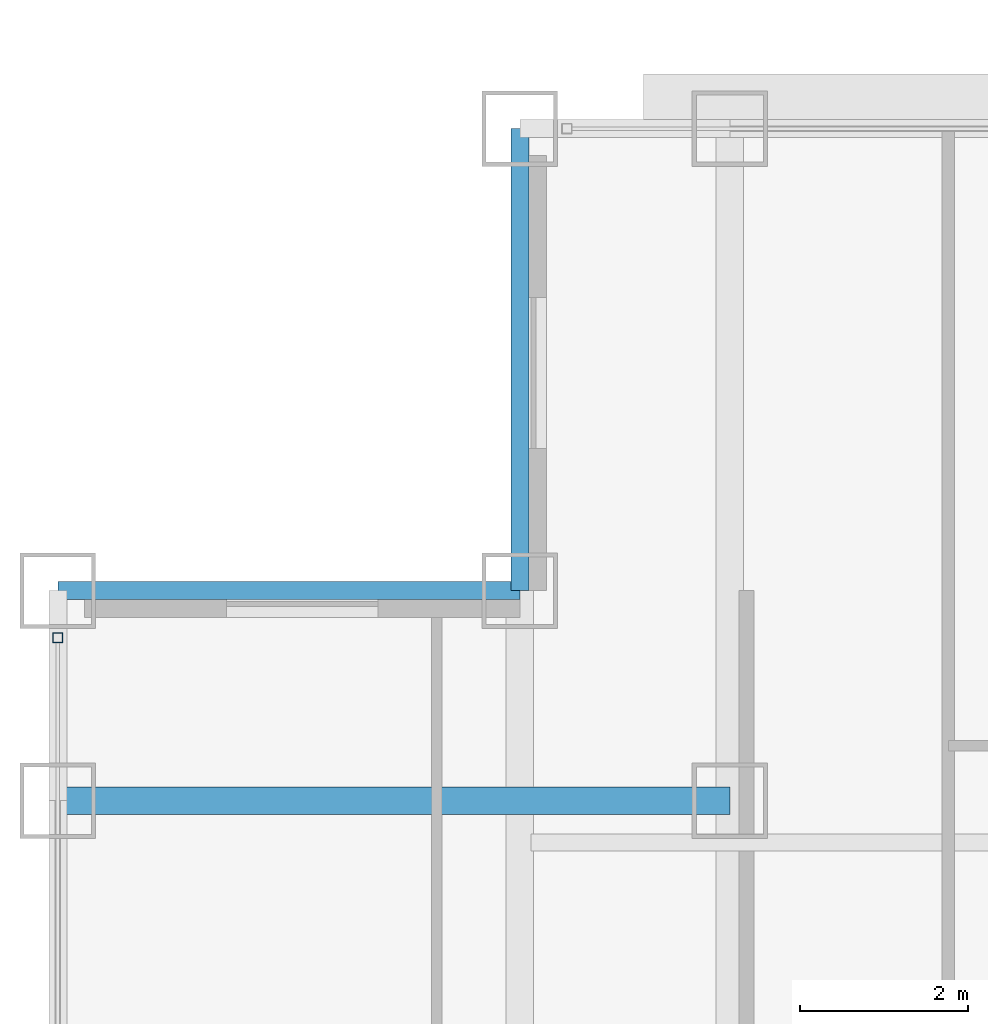
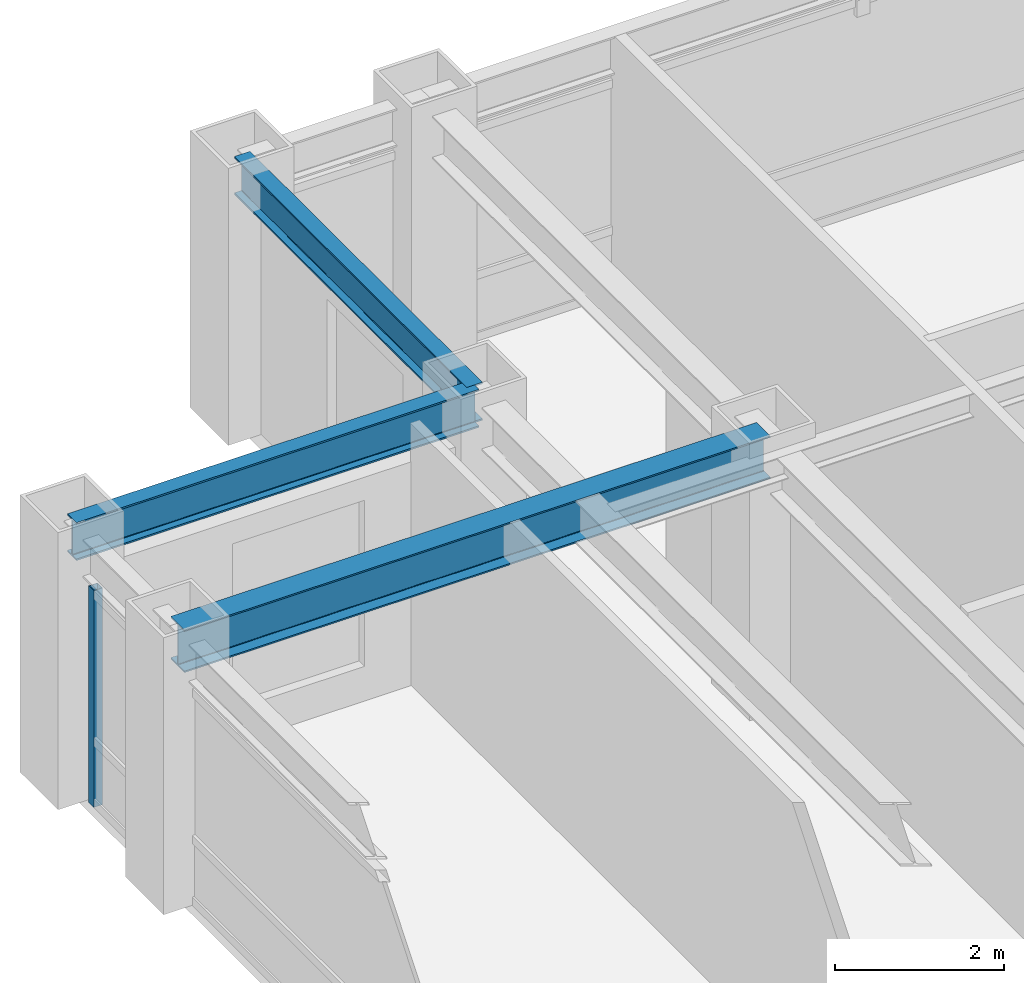
# One storey, part 12 of 29: 3 beams, 1 member, 1 element without a shape of its own.
"""IFC4 building model written with IfcOpenShell, lengths in metres."""

from ifc_helpers import new_model, si_unit, direction, frame, origin, origin_2d, place, context, subcontext, project, spatial, hollow_rectangle, i_section, extrude, source, transform, mapped, material, material_profile, profile_set, type_object, element, aggregate, save


model = new_model("IFC4")

# Units and contexts
model_context = context("Model", 3, precision=1e-05, world=origin(), true_north=direction((0.0, 1.0)))
body_context = subcontext(model_context, "Body", "Model", "MODEL_VIEW")
ifc_project = project(units=[si_unit("LENGTHUNIT", "METRE"), si_unit("AREAUNIT", "SQUARE_METRE"), si_unit("VOLUMEUNIT", "CUBIC_METRE"), si_unit("PLANEANGLEUNIT", "RADIAN"), si_unit("MASSUNIT", "GRAM", prefix="KILO")], contexts=[model_context])

# Site, building, storey
site_placement = place(None, origin())
site = spatial("IfcSite", under=ifc_project, at=site_placement, CompositionType="ELEMENT")
building_placement = place(site_placement, origin())
building = spatial("IfcBuilding", under=site, at=building_placement, Name="Khorayat Bourse Tower", CompositionType="ELEMENT")
storey_placement = place(building_placement, frame((0.0, 0.0, 277.5)))
storey = spatial("IfcBuildingStorey", under=building, at=storey_placement, Name="L65", CompositionType="ELEMENT", Elevation=277.5)

# Beams
ifc_material_1 = material(Name="Steel ASTM A992 Grade 50", Category="steel")
ifc_material_profile_1 = material_profile(ifc_material_1, i_section(OverallWidth=0.324951171875, OverallDepth=0.615966796875, WebThickness=0.013916015625, FlangeThickness=0.021484375, FilletRadius=0.01611328125, at=origin_2d()), Name="W610X174")
ifc_profile_set_1 = profile_set([ifc_material_profile_1], Name="Steel ASTM A992 Grade 50")
beam_type_1 = type_object("IfcBeamType", Name="BM-GIRD-610", PredefinedType="BEAM", material=ifc_profile_set_1)
shared_shape_1 = source(origin(), body_context, "Body", "SweptSolid", [
    extrude(i_section(OverallWidth=0.324951171875, OverallDepth=0.615966796875, WebThickness=0.013916015625, FlangeThickness=0.021484375, FilletRadius=0.01611328125, at=origin_2d()), origin(), (0.0, 0.0, 1.0), 8.0),
])
beam_placement = place(storey_placement, frame((-28.0, 20.0, 3.471923828125), z_axis=(1.0, 0.0, 0.0), x_axis=(0.0, 1.0, 0.0)))
element("IfcBeam", 1, at=beam_placement, inside=storey, type_object=beam_type_1, Name="L65 BM-GIRD-610 BM-L65-CNRX-095", PredefinedType="BEAM", context=body_context, shape_type="MappedRepresentation", body=[
    mapped(shared_shape_1, transform((0.0, 0.0, 0.0), scale=1.0)),
])
ifc_material_profile_2 = material_profile(ifc_material_1, i_section(OverallWidth=0.214111328125, OverallDepth=0.549072265625, WebThickness=0.0146484375, FlangeThickness=0.023681640625, FilletRadius=0.013916015625, at=origin_2d()), Name="W530X138")
ifc_profile_set_2 = profile_set([ifc_material_profile_2], Name="Steel ASTM A992 Grade 50")
beam_type_2 = type_object("IfcBeamType", Name="BM-SPAN-530", PredefinedType="SPANDREL", material=ifc_profile_set_2)
shared_shape_2 = source(origin(), body_context, "Body", "SweptSolid", [
    extrude(i_section(OverallWidth=0.214111328125, OverallDepth=0.549072265625, WebThickness=0.0146484375, FlangeThickness=0.023681640625, FilletRadius=0.013916015625, at=origin_2d()), origin(), (0.0, 0.0, 1.0), 5.5),
])
for number, where, z_axis, x_axis, name in (
    (2, (-22.5, 22.5, 3.505615234375), (0.0, 1.0, 0.0), (-1.0, 0.0, 0.0), "L65 BM-SPAN-530 BM-L65-SPN-052"),
    (3, (-28.0, 22.5, 3.505615234375), (1.0, 0.0, 0.0), (0.0, 1.0, 0.0), "L65 BM-SPAN-530 BM-L65-SPN-053"),
):
    element("IfcBeam", number, at=place(storey_placement, frame(where, z_axis=z_axis, x_axis=x_axis)), inside=storey, type_object=beam_type_2, Name=name, PredefinedType="SPANDREL", context=body_context, shape_type="MappedRepresentation", body=[
        mapped(shared_shape_2, transform((0.0, 0.0, 0.0), scale=1.0)),
    ])

# Curtain wall, member
ifc_material_2 = material(Name="Aluminium EN AW-6063 T6", Category="aluminium")
curtain_wall_type = type_object("IfcCurtainWallType", Name="CW-SYS-04", PredefinedType="NOTDEFINED", material=ifc_material_2)
curtain_wall_placement = place(storey_placement, origin())
curtain_wall = element("IfcCurtainWall", 4, at=curtain_wall_placement, inside=storey, type_object=curtain_wall_type, Name="L65 Curtain Wall CW-L65-W1", PredefinedType="NOTDEFINED")
ifc_material_profile_3 = material_profile(ifc_material_2, hollow_rectangle(XDim=0.1201171875, YDim=0.1201171875, WallThickness=0.0048828125, at=origin_2d()), Name="ALU 120x120x5")
ifc_profile_set_3 = profile_set([ifc_material_profile_3], Name="Aluminium EN AW-6063 T6")
member_type = type_object("IfcMemberType", Name="CWM-VERT-120", PredefinedType="MULLION", material=ifc_profile_set_3)
shared_shape_3 = source(origin(), body_context, "Body", "SweptSolid", [
    extrude(hollow_rectangle(XDim=0.1201171875, YDim=0.1201171875, WallThickness=0.0048828125, at=origin_2d()), origin(), (0.0, 0.0, 1.0), 3.1298828125),
])
member_placement = place(storey_placement, frame((-28.0, 21.93994140625, 0.0), z_axis=(0.0, 0.0, 1.0), x_axis=(-1.0, 0.0, 0.0)))
member = element("IfcMember", 5, at=member_placement, type_object=member_type, Name="CW-L65-W1 Vertical Mullion 3", PredefinedType="MULLION", context=body_context, shape_type="MappedRepresentation", body=[
    mapped(shared_shape_3, transform((0.0, 0.0, 0.0), scale=1.0)),
])
aggregate(curtain_wall, [member])

save(model, "model.ifc")
